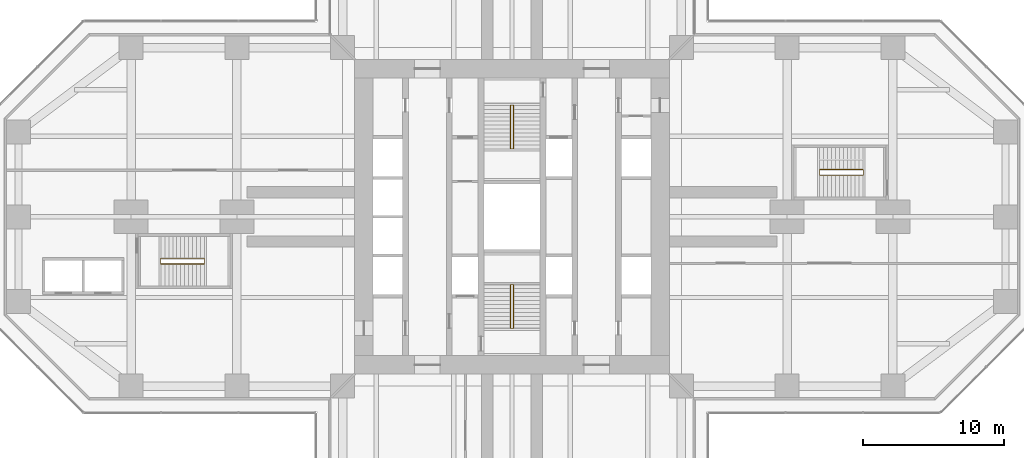
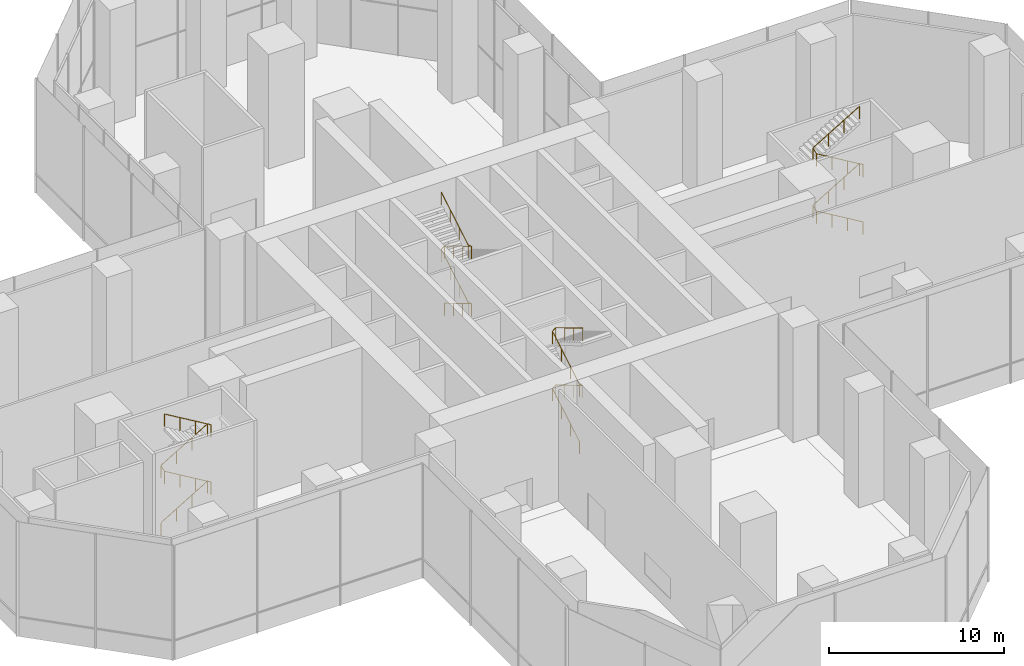
# One storey, part 25 of 25: 4 railings.
"""IFC4 building model written with IfcOpenShell, lengths in metres."""

import ifcopenshell
import ifcopenshell.guid

model = None  # the IFC model being written
_history = None  # IfcOwnerHistory: only IFC2X3 demands one
_inside = {}  # id of a spatial element -> (the spatial element, [elements in it])
_under = {}  # id of a project, library or spatial element -> (it, [spatial elements below it])
_declared = {}  # id of a project -> (the project, [libraries it declares])
_typed = {}  # id of a type object -> (the type object, [elements of that type])
_made_of = {}  # id of a material, layer set ... -> (it, [elements and type objects made of it])


def new_model(schema):
    """Start an empty IFC model of exactly this schema.

    Asked for "IFC4X3", IfcOpenShell would pick the latest addendum, in which some entities
    have other attributes; the version numbers below select the first issue.
    IFC2X3 requires an IfcOwnerHistory on every rooted entity: one is made here for all.
    """
    global model, _history
    if schema == "IFC4X3":
        model = ifcopenshell.file(schema_version=(4, 3, 0, 0))
    else:
        model = ifcopenshell.file(schema=schema)
    _inside.clear()
    _under.clear()
    _declared.clear()
    _typed.clear()
    _made_of.clear()
    _history = None
    if model.schema == "IFC2X3":
        org = make("IfcOrganization", Name="unknown")
        user = make(
            "IfcPersonAndOrganization",
            ThePerson=make("IfcPerson", FamilyName="unknown"),
            TheOrganization=org,
        )
        app = make(
            "IfcApplication",
            ApplicationDeveloper=org,
            Version="unknown",
            ApplicationFullName="unknown",
            ApplicationIdentifier="unknown",
        )
        _history = make(
            "IfcOwnerHistory",
            OwningUser=user,
            OwningApplication=app,
            ChangeAction="ADDED",
            CreationDate=0,
        )
    return model


def make(cls, **values):
    """One entity of the class cls with the attributes given. An attribute that is None is left unset."""
    return model.create_entity(
        cls, **{name: value for name, value in values.items() if value is not None}
    )


def rooted(cls, **values):
    """An entity with a GlobalId (a new one), such as an element, a storey or a relation."""
    return make(cls, GlobalId=ifcopenshell.guid.new(), OwnerHistory=_history, **values)


def si_unit(unit_type, name, prefix=None):
    """IfcSIUnit, for example si_unit("LENGTHUNIT", "METRE", prefix="MILLI")."""
    return make("IfcSIUnit", UnitType=unit_type, Prefix=prefix, Name=name)


def assignment(units):
    """IfcUnitAssignment: the units of a project."""
    return None if units is None else make("IfcUnitAssignment", Units=units)


def point(xyz):
    """IfcCartesianPoint."""
    return None if xyz is None else make("IfcCartesianPoint", Coordinates=xyz)


def direction(xyz):
    """IfcDirection."""
    return None if xyz is None else make("IfcDirection", DirectionRatios=xyz)


def frame(location, z_axis=None, x_axis=None):
    """IfcAxis2Placement3D, a coordinate frame: its origin and axes. An axis left out is left unset."""
    return make(
        "IfcAxis2Placement3D",
        Location=point(location),
        Axis=direction(z_axis),
        RefDirection=direction(x_axis),
    )


def frame_2d(location, x_axis=None):
    """IfcAxis2Placement2D, a coordinate frame in the plane: its origin and x axis."""
    return make(
        "IfcAxis2Placement2D", Location=point(location), RefDirection=direction(x_axis)
    )


def origin():
    """The frame at (0, 0, 0) with its axes left unset."""
    return frame((0.0, 0.0, 0.0))


def origin_2d():
    """The frame at (0, 0) in the plane with its x axis left unset."""
    return frame_2d((0.0, 0.0))


def place(relative_to, where):
    """IfcLocalPlacement: puts the frame where relative to a parent placement (None: the world)."""
    return make(
        "IfcLocalPlacement", PlacementRelTo=relative_to, RelativePlacement=where
    )


def context(
    kind, dimensions, precision=None, world=None, true_north=None, identifier=None
):
    """IfcGeometricRepresentationContext, for example the 3D "Model" context."""
    return make(
        "IfcGeometricRepresentationContext",
        ContextIdentifier=identifier,
        ContextType=kind,
        CoordinateSpaceDimension=dimensions,
        Precision=precision,
        WorldCoordinateSystem=world,
        TrueNorth=true_north,
    )


def subcontext(parent, identifier, kind, view, scale=None):
    """IfcGeometricRepresentationSubContext, for example "Body" below "Model"."""
    return make(
        "IfcGeometricRepresentationSubContext",
        ContextIdentifier=identifier,
        ContextType=kind,
        ParentContext=parent,
        TargetScale=scale,
        TargetView=view,
    )


def project(units=None, contexts=None):
    """IfcProject with its units and contexts."""
    return rooted(
        "IfcProject",
        Name="project",
        RepresentationContexts=contexts,
        UnitsInContext=assignment(units),
    )


def spatial(cls, under=None, at=None, **own):
    """A site, building, storey or space (cls), placed at a placement, below another one or the project."""
    s = rooted(cls, ObjectPlacement=at, **own)
    if under is not None:
        _under.setdefault(under.id(), (under, []))[1].append(s)
    return s


def profile(cls, at=None, kind="AREA", **sizes):
    """A parametric profile (cls). Its sizes go by their IFC names, for example OverallWidth=200.0."""
    return make(cls, ProfileType=kind, Position=at, **sizes)


def circle(**sizes):
    """IfcCircleProfileDef."""
    return profile("IfcCircleProfileDef", **sizes)


def extrude(swept, where, along, depth):
    """IfcExtrudedAreaSolid: the profile swept, set in the frame where, extruded along a direction by depth."""
    return make(
        "IfcExtrudedAreaSolid",
        SweptArea=swept,
        Position=where,
        ExtrudedDirection=direction(along),
        Depth=depth,
    )


def shape(context_of_items, identifier, shape_type, items):
    """IfcShapeRepresentation: the items that make up one representation, for example the "Body"."""
    return make(
        "IfcShapeRepresentation",
        ContextOfItems=context_of_items,
        RepresentationIdentifier=identifier,
        RepresentationType=shape_type,
        Items=items,
    )


def material(Name=None, Category=None):
    """IfcMaterial."""
    return make("IfcMaterial", Name=Name, Category=Category)


def made_of(thing, what):
    """Note that an element or type object is made of a material, layer set ...; save() writes the relation."""
    if what is not None:
        _made_of.setdefault(what.id(), (what, []))[1].append(thing)
    return thing


def type_object(cls, material=None, **own):
    """A type object (cls), such as IfcWallType, which elements share."""
    return made_of(rooted(cls, **own), material)


def element(
    cls,
    number,
    at=None,
    inside=None,
    cuts=None,
    type_object=None,
    material=None,
    context=None,
    identifier="Body",
    shape_type=None,
    held_by="IfcProductDefinitionShape",
    body=None,
    shapes=None,
    **own,
):
    """One element of the class cls, such as IfcWall. Its Tag is "e" and its number.

    at: its placement. inside: the storey or other place that contains it. cuts: it is an
    opening in that element (IfcRelVoidsElement). A single representation is given by context,
    identifier, shape_type and body (its items); several are given by shapes. held_by: the class
    of the entity that holds the representations. save() writes the other relations.
    """
    e = rooted(cls, Tag="e%d" % number, ObjectPlacement=at, **own)
    if body is not None:
        shapes = [shape(context, identifier, shape_type, body)]
    if shapes is not None:
        e.Representation = make(held_by, Representations=shapes)
    if inside is not None:
        _inside.setdefault(inside.id(), (inside, []))[1].append(e)
    if cuts is not None:
        rooted(
            "IfcRelVoidsElement", RelatingBuildingElement=cuts, RelatedOpeningElement=e
        )
    if type_object is not None:
        _typed.setdefault(type_object.id(), (type_object, []))[1].append(e)
    return made_of(e, material)


def aggregate(whole, parts):
    """IfcRelAggregates: a whole, such as a stair, and the parts it consists of."""
    return rooted("IfcRelAggregates", RelatingObject=whole, RelatedObjects=parts)


def save(model, path):
    """Write the relations noted so far, then the file.

    IfcRelAggregates (storeys below a building ...), IfcRelContainedInSpatialStructure (elements
    in a storey), IfcRelDefinesByType, IfcRelAssociatesMaterial and IfcRelDeclares: one each for
    every whole, place, type object, material and project.
    """
    for whole, parts in _under.values():
        aggregate(whole, parts)
    for where, things in _inside.values():
        rooted(
            "IfcRelContainedInSpatialStructure",
            RelatedElements=things,
            RelatingStructure=where,
        )
    for kind, things in _typed.values():
        rooted("IfcRelDefinesByType", RelatedObjects=things, RelatingType=kind)
    for what, things in _made_of.values():
        rooted("IfcRelAssociatesMaterial", RelatedObjects=things, RelatingMaterial=what)
    for by, libraries in _declared.values():
        rooted("IfcRelDeclares", RelatingContext=by, RelatedDefinitions=libraries)
    model.write(path)


model = new_model("IFC4")

# Units and contexts
model_context = context("Model", 3, precision=1e-05, world=origin(), true_north=direction((0.0, 1.0)))
body_context = subcontext(model_context, "Body", "Model", "MODEL_VIEW")
ifc_project = project(units=[si_unit("LENGTHUNIT", "METRE"), si_unit("AREAUNIT", "SQUARE_METRE"), si_unit("VOLUMEUNIT", "CUBIC_METRE"), si_unit("PLANEANGLEUNIT", "RADIAN"), si_unit("MASSUNIT", "GRAM", prefix="KILO")], contexts=[model_context])

# Site, building, storey
site_placement = place(None, origin())
site = spatial("IfcSite", under=ifc_project, at=site_placement, CompositionType="ELEMENT")
building_placement = place(site_placement, origin())
building = spatial("IfcBuilding", under=site, at=building_placement, Name="Mizan Broadcast Tower", CompositionType="ELEMENT")
storey_placement = place(building_placement, frame((0.0, 0.0, 7.0)))
storey = spatial("IfcBuildingStorey", under=building, at=storey_placement, Name="L01", CompositionType="ELEMENT", Elevation=7.0)

# Railings
ifc_material = material(Name="Stainless steel", Category="steel")
railing_type = type_object("IfcRailingType", Name="HANDRAIL 50", PredefinedType="HANDRAIL", material=ifc_material)
railing_1_placement = place(storey_placement, frame((-0.110107421875, -7.89990234375, 0.166748046875)))
element("IfcRailing", 1, at=railing_1_placement, inside=storey, type_object=railing_type, Name="Stair A handrail", PredefinedType="HANDRAIL", context=body_context, shape_type="SweptSolid", body=[
    extrude(circle(Radius=0.02392578125, at=origin_2d()), frame((0.0, 0.0, 0.8759765625), z_axis=(0.0, 0.859290745958, 0.51148745235), x_axis=(-1.0, 0.0, 0.0)), (0.0, 0.0, 1.0), 3.584228515625),
    extrude(circle(Radius=0.02392578125, at=origin_2d()), frame((0.0, 3.079833984375, 2.708984375), z_axis=(0.7972339343, 0.0, 0.60367048462), x_axis=(0.0, 1.0, 0.0)), (0.0, 0.0, 1.0), 0.276123046875),
    extrude(circle(Radius=0.02392578125, at=origin_2d()), frame((0.22021484375, 3.079833984375, 2.8759765625), z_axis=(0.0, -0.859290745958, 0.51148745235), x_axis=(1.0, 0.0, 0.0)), (0.0, 0.0, 1.0), 3.584228515625),
    extrude(circle(Radius=0.02392578125, at=origin_2d()), frame((0.22021484375, 0.0, 4.708984375), z_axis=(-0.7972339343, 0.0, 0.60367048462), x_axis=(0.0, -1.0, 0.0)), (0.0, 0.0, 1.0), 0.276123046875),
    extrude(circle(Radius=0.02392578125, at=origin_2d()), frame((0.0, 0.0, 4.8759765625), z_axis=(0.0, 0.859290745958, 0.51148745235), x_axis=(-1.0, 0.0, 0.0)), (0.0, 0.0, 1.0), 3.584228515625),
    extrude(circle(Radius=0.02392578125, at=origin_2d()), frame((0.0, 3.079833984375, 6.708984375), z_axis=(0.7972339343, 0.0, 0.60367048462), x_axis=(0.0, 1.0, 0.0)), (0.0, 0.0, 1.0), 0.276123046875),
    extrude(circle(Radius=0.02392578125, at=origin_2d()), frame((0.22021484375, 3.079833984375, 6.8759765625), z_axis=(0.0, -0.859290745958, 0.51148745235), x_axis=(1.0, 0.0, 0.0)), (0.0, 0.0, 1.0), 3.584228515625),
    extrude(circle(Radius=0.02099609375, at=origin_2d()), origin(), (0.0, 0.0, 1.0), 0.851806640625),
    extrude(circle(Radius=0.02099609375, at=origin_2d()), frame((0.0, 1.026611328125, 0.611083984375)), (0.0, 0.0, 1.0), 0.851806640625),
    extrude(circle(Radius=0.02099609375, at=origin_2d()), frame((0.0, 2.05322265625, 1.22216796875)), (0.0, 0.0, 1.0), 0.851806640625),
    extrude(circle(Radius=0.02099609375, at=origin_2d()), frame((0.0, 3.079833984375, 1.833251953125)), (0.0, 0.0, 1.0), 0.851806640625),
    extrude(circle(Radius=0.02099609375, at=origin_2d()), frame((0.22021484375, 3.079833984375, 2.0)), (0.0, 0.0, 1.0), 0.851806640625),
    extrude(circle(Radius=0.02099609375, at=origin_2d()), frame((0.22021484375, 2.05322265625, 2.611083984375)), (0.0, 0.0, 1.0), 0.851806640625),
    extrude(circle(Radius=0.02099609375, at=origin_2d()), frame((0.22021484375, 1.026611328125, 3.22216796875)), (0.0, 0.0, 1.0), 0.851806640625),
    extrude(circle(Radius=0.02099609375, at=origin_2d()), frame((0.22021484375, 0.0, 3.833251953125)), (0.0, 0.0, 1.0), 0.851806640625),
    extrude(circle(Radius=0.02099609375, at=origin_2d()), frame((0.0, 0.0, 4.0)), (0.0, 0.0, 1.0), 0.851806640625),
    extrude(circle(Radius=0.02099609375, at=origin_2d()), frame((0.0, 1.026611328125, 4.611083984375)), (0.0, 0.0, 1.0), 0.851806640625),
    extrude(circle(Radius=0.02099609375, at=origin_2d()), frame((0.0, 2.05322265625, 5.22216796875)), (0.0, 0.0, 1.0), 0.851806640625),
    extrude(circle(Radius=0.02099609375, at=origin_2d()), frame((0.0, 3.079833984375, 5.833251953125)), (0.0, 0.0, 1.0), 0.851806640625),
    extrude(circle(Radius=0.02099609375, at=origin_2d()), frame((0.22021484375, 3.079833984375, 6.0)), (0.0, 0.0, 1.0), 0.851806640625),
    extrude(circle(Radius=0.02099609375, at=origin_2d()), frame((0.22021484375, 2.05322265625, 6.611083984375)), (0.0, 0.0, 1.0), 0.851806640625),
    extrude(circle(Radius=0.02099609375, at=origin_2d()), frame((0.22021484375, 1.026611328125, 7.22216796875)), (0.0, 0.0, 1.0), 0.851806640625),
    extrude(circle(Radius=0.02099609375, at=origin_2d()), frame((0.22021484375, 0.0, 7.833251953125)), (0.0, 0.0, 1.0), 0.851806640625),
])
railing_2_placement = place(storey_placement, frame((0.110107421875, 7.89990234375, 0.166748046875)))
element("IfcRailing", 2, at=railing_2_placement, inside=storey, type_object=railing_type, Name="Stair B handrail", PredefinedType="HANDRAIL", context=body_context, shape_type="SweptSolid", body=[
    extrude(circle(Radius=0.02392578125, at=origin_2d()), frame((0.0, 0.0, 0.8759765625), z_axis=(0.0, -0.859290745958, 0.51148745235), x_axis=(1.0, 0.0, 0.0)), (0.0, 0.0, 1.0), 3.584228515625),
    extrude(circle(Radius=0.02392578125, at=origin_2d()), frame((0.0, -3.079833984375, 2.708984375), z_axis=(-0.7972339343, 0.0, 0.60367048462), x_axis=(0.0, -1.0, 0.0)), (0.0, 0.0, 1.0), 0.276123046875),
    extrude(circle(Radius=0.02392578125, at=origin_2d()), frame((-0.22021484375, -3.079833984375, 2.8759765625), z_axis=(0.0, 0.859290745958, 0.51148745235), x_axis=(-1.0, 0.0, 0.0)), (0.0, 0.0, 1.0), 3.584228515625),
    extrude(circle(Radius=0.02392578125, at=origin_2d()), frame((-0.22021484375, 0.0, 4.708984375), z_axis=(0.7972339343, 0.0, 0.60367048462), x_axis=(0.0, 1.0, 0.0)), (0.0, 0.0, 1.0), 0.276123046875),
    extrude(circle(Radius=0.02392578125, at=origin_2d()), frame((0.0, 0.0, 4.8759765625), z_axis=(0.0, -0.859290745958, 0.51148745235), x_axis=(1.0, 0.0, 0.0)), (0.0, 0.0, 1.0), 3.584228515625),
    extrude(circle(Radius=0.02392578125, at=origin_2d()), frame((0.0, -3.079833984375, 6.708984375), z_axis=(-0.7972339343, 0.0, 0.60367048462), x_axis=(0.0, -1.0, 0.0)), (0.0, 0.0, 1.0), 0.276123046875),
    extrude(circle(Radius=0.02392578125, at=origin_2d()), frame((-0.22021484375, -3.079833984375, 6.8759765625), z_axis=(0.0, 0.859290745958, 0.51148745235), x_axis=(-1.0, 0.0, 0.0)), (0.0, 0.0, 1.0), 3.584228515625),
    extrude(circle(Radius=0.02099609375, at=origin_2d()), origin(), (0.0, 0.0, 1.0), 0.851806640625),
    extrude(circle(Radius=0.02099609375, at=origin_2d()), frame((0.0, -1.026611328125, 0.611083984375)), (0.0, 0.0, 1.0), 0.851806640625),
    extrude(circle(Radius=0.02099609375, at=origin_2d()), frame((0.0, -2.05322265625, 1.22216796875)), (0.0, 0.0, 1.0), 0.851806640625),
    extrude(circle(Radius=0.02099609375, at=origin_2d()), frame((0.0, -3.079833984375, 1.833251953125)), (0.0, 0.0, 1.0), 0.851806640625),
    extrude(circle(Radius=0.02099609375, at=origin_2d()), frame((-0.22021484375, -3.079833984375, 2.0)), (0.0, 0.0, 1.0), 0.851806640625),
    extrude(circle(Radius=0.02099609375, at=origin_2d()), frame((-0.22021484375, -2.05322265625, 2.611083984375)), (0.0, 0.0, 1.0), 0.851806640625),
    extrude(circle(Radius=0.02099609375, at=origin_2d()), frame((-0.22021484375, -1.026611328125, 3.22216796875)), (0.0, 0.0, 1.0), 0.851806640625),
    extrude(circle(Radius=0.02099609375, at=origin_2d()), frame((-0.22021484375, 0.0, 3.833251953125)), (0.0, 0.0, 1.0), 0.851806640625),
    extrude(circle(Radius=0.02099609375, at=origin_2d()), frame((0.0, 0.0, 4.0)), (0.0, 0.0, 1.0), 0.851806640625),
    extrude(circle(Radius=0.02099609375, at=origin_2d()), frame((0.0, -1.026611328125, 4.611083984375)), (0.0, 0.0, 1.0), 0.851806640625),
    extrude(circle(Radius=0.02099609375, at=origin_2d()), frame((0.0, -2.05322265625, 5.22216796875)), (0.0, 0.0, 1.0), 0.851806640625),
    extrude(circle(Radius=0.02099609375, at=origin_2d()), frame((0.0, -3.079833984375, 5.833251953125)), (0.0, 0.0, 1.0), 0.851806640625),
    extrude(circle(Radius=0.02099609375, at=origin_2d()), frame((-0.22021484375, -3.079833984375, 6.0)), (0.0, 0.0, 1.0), 0.851806640625),
    extrude(circle(Radius=0.02099609375, at=origin_2d()), frame((-0.22021484375, -2.05322265625, 6.611083984375)), (0.0, 0.0, 1.0), 0.851806640625),
    extrude(circle(Radius=0.02099609375, at=origin_2d()), frame((-0.22021484375, -1.026611328125, 7.22216796875)), (0.0, 0.0, 1.0), 0.851806640625),
    extrude(circle(Radius=0.02099609375, at=origin_2d()), frame((-0.22021484375, 0.0, 7.833251953125)), (0.0, 0.0, 1.0), 0.851806640625),
])
railing_3_placement = place(storey_placement, frame((24.889892578125, 2.949951171875, 0.166748046875)))
element("IfcRailing", 3, at=railing_3_placement, inside=storey, type_object=railing_type, Name="Stair C handrail", PredefinedType="HANDRAIL", context=body_context, shape_type="SweptSolid", body=[
    extrude(circle(Radius=0.02392578125, at=origin_2d()), frame((0.0, 0.0, 0.8759765625), z_axis=(-0.859290745958, 0.0, 0.51148745235), x_axis=(0.0, -1.0, 0.0)), (0.0, 0.0, 1.0), 3.584228515625),
    extrude(circle(Radius=0.02392578125, at=origin_2d()), frame((-3.079833984375, 0.0, 2.708984375), z_axis=(0.0, 0.923060259932, 0.384655373724), x_axis=(-1.0, 0.0, 0.0)), (0.0, 0.0, 1.0), 0.43359375),
    extrude(circle(Radius=0.02392578125, at=origin_2d()), frame((-3.079833984375, 0.400146484375, 2.8759765625), z_axis=(0.859290745958, 0.0, 0.51148745235), x_axis=(0.0, 1.0, 0.0)), (0.0, 0.0, 1.0), 3.584228515625),
    extrude(circle(Radius=0.02392578125, at=origin_2d()), frame((0.0, 0.400146484375, 4.708984375), z_axis=(0.0, -0.923060259932, 0.384655373724), x_axis=(1.0, 0.0, 0.0)), (0.0, 0.0, 1.0), 0.43359375),
    extrude(circle(Radius=0.02392578125, at=origin_2d()), frame((0.0, 0.0, 4.8759765625), z_axis=(-0.859290745958, 0.0, 0.51148745235), x_axis=(0.0, -1.0, 0.0)), (0.0, 0.0, 1.0), 3.584228515625),
    extrude(circle(Radius=0.02392578125, at=origin_2d()), frame((-3.079833984375, 0.0, 6.708984375), z_axis=(0.0, 0.923060259932, 0.384655373724), x_axis=(-1.0, 0.0, 0.0)), (0.0, 0.0, 1.0), 0.43359375),
    extrude(circle(Radius=0.02392578125, at=origin_2d()), frame((-3.079833984375, 0.400146484375, 6.8759765625), z_axis=(0.859290745958, 0.0, 0.51148745235), x_axis=(0.0, 1.0, 0.0)), (0.0, 0.0, 1.0), 3.584228515625),
    extrude(circle(Radius=0.02099609375, at=origin_2d()), origin(), (0.0, 0.0, 1.0), 0.851806640625),
    extrude(circle(Radius=0.02099609375, at=origin_2d()), frame((-1.026611328125, 0.0, 0.611083984375)), (0.0, 0.0, 1.0), 0.851806640625),
    extrude(circle(Radius=0.02099609375, at=origin_2d()), frame((-2.05322265625, 0.0, 1.22216796875)), (0.0, 0.0, 1.0), 0.851806640625),
    extrude(circle(Radius=0.02099609375, at=origin_2d()), frame((-3.079833984375, 0.0, 1.833251953125)), (0.0, 0.0, 1.0), 0.851806640625),
    extrude(circle(Radius=0.02099609375, at=origin_2d()), frame((-3.079833984375, 0.400146484375, 2.0)), (0.0, 0.0, 1.0), 0.851806640625),
    extrude(circle(Radius=0.02099609375, at=origin_2d()), frame((-2.05322265625, 0.400146484375, 2.611083984375)), (0.0, 0.0, 1.0), 0.851806640625),
    extrude(circle(Radius=0.02099609375, at=origin_2d()), frame((-1.026611328125, 0.400146484375, 3.22216796875)), (0.0, 0.0, 1.0), 0.851806640625),
    extrude(circle(Radius=0.02099609375, at=origin_2d()), frame((0.0, 0.400146484375, 3.833251953125)), (0.0, 0.0, 1.0), 0.851806640625),
    extrude(circle(Radius=0.02099609375, at=origin_2d()), frame((0.0, 0.0, 4.0)), (0.0, 0.0, 1.0), 0.851806640625),
    extrude(circle(Radius=0.02099609375, at=origin_2d()), frame((-1.026611328125, 0.0, 4.611083984375)), (0.0, 0.0, 1.0), 0.851806640625),
    extrude(circle(Radius=0.02099609375, at=origin_2d()), frame((-2.05322265625, 0.0, 5.22216796875)), (0.0, 0.0, 1.0), 0.851806640625),
    extrude(circle(Radius=0.02099609375, at=origin_2d()), frame((-3.079833984375, 0.0, 5.833251953125)), (0.0, 0.0, 1.0), 0.851806640625),
    extrude(circle(Radius=0.02099609375, at=origin_2d()), frame((-3.079833984375, 0.400146484375, 6.0)), (0.0, 0.0, 1.0), 0.851806640625),
    extrude(circle(Radius=0.02099609375, at=origin_2d()), frame((-2.05322265625, 0.400146484375, 6.611083984375)), (0.0, 0.0, 1.0), 0.851806640625),
    extrude(circle(Radius=0.02099609375, at=origin_2d()), frame((-1.026611328125, 0.400146484375, 7.22216796875)), (0.0, 0.0, 1.0), 0.851806640625),
    extrude(circle(Radius=0.02099609375, at=origin_2d()), frame((0.0, 0.400146484375, 7.833251953125)), (0.0, 0.0, 1.0), 0.851806640625),
])
railing_4_placement = place(storey_placement, frame((-24.889892578125, -2.949951171875, 0.166748046875)))
element("IfcRailing", 4, at=railing_4_placement, inside=storey, type_object=railing_type, Name="Stair D handrail", PredefinedType="HANDRAIL", context=body_context, shape_type="SweptSolid", body=[
    extrude(circle(Radius=0.02392578125, at=origin_2d()), frame((0.0, 0.0, 0.8759765625), z_axis=(0.859290745958, 0.0, 0.51148745235), x_axis=(0.0, 1.0, 0.0)), (0.0, 0.0, 1.0), 3.584228515625),
    extrude(circle(Radius=0.02392578125, at=origin_2d()), frame((3.079833984375, 0.0, 2.708984375), z_axis=(0.0, -0.923060259932, 0.384655373724), x_axis=(1.0, 0.0, 0.0)), (0.0, 0.0, 1.0), 0.43359375),
    extrude(circle(Radius=0.02392578125, at=origin_2d()), frame((3.079833984375, -0.400146484375, 2.8759765625), z_axis=(-0.859290745958, 0.0, 0.51148745235), x_axis=(0.0, -1.0, 0.0)), (0.0, 0.0, 1.0), 3.584228515625),
    extrude(circle(Radius=0.02392578125, at=origin_2d()), frame((0.0, -0.400146484375, 4.708984375), z_axis=(0.0, 0.923060259932, 0.384655373724), x_axis=(-1.0, 0.0, 0.0)), (0.0, 0.0, 1.0), 0.43359375),
    extrude(circle(Radius=0.02392578125, at=origin_2d()), frame((0.0, 0.0, 4.8759765625), z_axis=(0.859290745958, 0.0, 0.51148745235), x_axis=(0.0, 1.0, 0.0)), (0.0, 0.0, 1.0), 3.584228515625),
    extrude(circle(Radius=0.02392578125, at=origin_2d()), frame((3.079833984375, 0.0, 6.708984375), z_axis=(0.0, -0.923060259932, 0.384655373724), x_axis=(1.0, 0.0, 0.0)), (0.0, 0.0, 1.0), 0.43359375),
    extrude(circle(Radius=0.02392578125, at=origin_2d()), frame((3.079833984375, -0.400146484375, 6.8759765625), z_axis=(-0.859290745958, 0.0, 0.51148745235), x_axis=(0.0, -1.0, 0.0)), (0.0, 0.0, 1.0), 3.584228515625),
    extrude(circle(Radius=0.02099609375, at=origin_2d()), origin(), (0.0, 0.0, 1.0), 0.851806640625),
    extrude(circle(Radius=0.02099609375, at=origin_2d()), frame((1.026611328125, 0.0, 0.611083984375)), (0.0, 0.0, 1.0), 0.851806640625),
    extrude(circle(Radius=0.02099609375, at=origin_2d()), frame((2.05322265625, 0.0, 1.22216796875)), (0.0, 0.0, 1.0), 0.851806640625),
    extrude(circle(Radius=0.02099609375, at=origin_2d()), frame((3.079833984375, 0.0, 1.833251953125)), (0.0, 0.0, 1.0), 0.851806640625),
    extrude(circle(Radius=0.02099609375, at=origin_2d()), frame((3.079833984375, -0.400146484375, 2.0)), (0.0, 0.0, 1.0), 0.851806640625),
    extrude(circle(Radius=0.02099609375, at=origin_2d()), frame((2.05322265625, -0.400146484375, 2.611083984375)), (0.0, 0.0, 1.0), 0.851806640625),
    extrude(circle(Radius=0.02099609375, at=origin_2d()), frame((1.026611328125, -0.400146484375, 3.22216796875)), (0.0, 0.0, 1.0), 0.851806640625),
    extrude(circle(Radius=0.02099609375, at=origin_2d()), frame((0.0, -0.400146484375, 3.833251953125)), (0.0, 0.0, 1.0), 0.851806640625),
    extrude(circle(Radius=0.02099609375, at=origin_2d()), frame((0.0, 0.0, 4.0)), (0.0, 0.0, 1.0), 0.851806640625),
    extrude(circle(Radius=0.02099609375, at=origin_2d()), frame((1.026611328125, 0.0, 4.611083984375)), (0.0, 0.0, 1.0), 0.851806640625),
    extrude(circle(Radius=0.02099609375, at=origin_2d()), frame((2.05322265625, 0.0, 5.22216796875)), (0.0, 0.0, 1.0), 0.851806640625),
    extrude(circle(Radius=0.02099609375, at=origin_2d()), frame((3.079833984375, 0.0, 5.833251953125)), (0.0, 0.0, 1.0), 0.851806640625),
    extrude(circle(Radius=0.02099609375, at=origin_2d()), frame((3.079833984375, -0.400146484375, 6.0)), (0.0, 0.0, 1.0), 0.851806640625),
    extrude(circle(Radius=0.02099609375, at=origin_2d()), frame((2.05322265625, -0.400146484375, 6.611083984375)), (0.0, 0.0, 1.0), 0.851806640625),
    extrude(circle(Radius=0.02099609375, at=origin_2d()), frame((1.026611328125, -0.400146484375, 7.22216796875)), (0.0, 0.0, 1.0), 0.851806640625),
    extrude(circle(Radius=0.02099609375, at=origin_2d()), frame((0.0, -0.400146484375, 7.833251953125)), (0.0, 0.0, 1.0), 0.851806640625),
])

save(model, "model.ifc")
